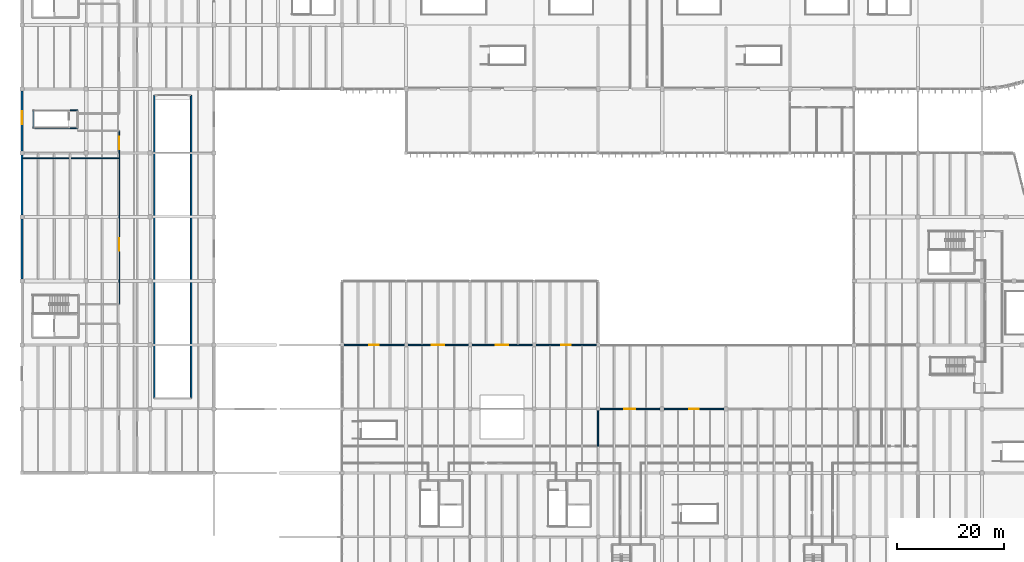
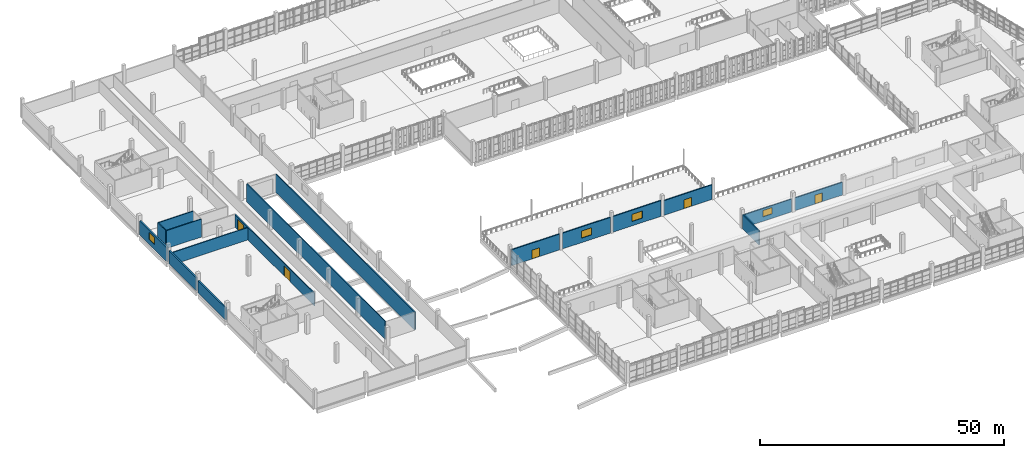
# One storey, part 79 of 112: 17 walls, 5 doors, 4 windows, 9 openings.
"""IFC4 building model written with IfcOpenShell, lengths in metres."""

from ifc_helpers import new_model, si_unit, direction, frame, frame_2d, origin, place, context, subcontext, project, spatial, rectangle, extrude, material, layer, layer_set, type_object, element, fill, save


model = new_model("IFC4")

# Units and contexts
model_context = context("Model", 3, precision=1e-05, world=origin(), true_north=direction((0.0, 1.0)))
body_context = subcontext(model_context, "Body", "Model", "MODEL_VIEW")
ifc_project = project(units=[si_unit("LENGTHUNIT", "METRE"), si_unit("AREAUNIT", "SQUARE_METRE"), si_unit("VOLUMEUNIT", "CUBIC_METRE"), si_unit("PLANEANGLEUNIT", "RADIAN"), si_unit("MASSUNIT", "GRAM", prefix="KILO")], contexts=[model_context])

# Site, building, storey
site_placement = place(None, origin())
site = spatial("IfcSite", under=ifc_project, at=site_placement, CompositionType="ELEMENT")
building_placement = place(site_placement, origin())
building = spatial("IfcBuilding", under=site, at=building_placement, Name="Kamomehara Wholesale Market", CompositionType="ELEMENT")
storey_placement = place(building_placement, frame((0.0, 0.0, 6.60009765625)))
storey = spatial("IfcBuildingStorey", under=building, at=storey_placement, Name="L01", CompositionType="ELEMENT", Elevation=6.60009765625)

# Walls
ifc_material_1 = material(Name="Polyurethane insulated metal panel")
ifc_layer_1 = layer(ifc_material_1, 0.340087890625)
ifc_layer_set_1 = layer_set([ifc_layer_1], Name="Polyurethane insulated metal panel")
wall_type_1 = type_object("IfcWallType", Name="EW-CLD-340", PredefinedType="SOLIDWALL", material=ifc_layer_set_1)
wall_1_placement = place(storey_placement, frame((0.0, 72.389892578125, 0.0), z_axis=(0.0, 0.0, 1.0), x_axis=(0.0, 1.0, 0.0)))
element("IfcWall", 1, at=wall_1_placement, inside=storey, type_object=wall_type_1, Name="Exterior wall EW-CLD-340 24", PredefinedType="SOLIDWALL", context=body_context, shape_type="SweptSolid", body=[
    extrude(rectangle(XDim=11.22021484375, YDim=0.340087890625, at=frame_2d((5.610107421875, 0.0))), origin(), (0.0, 0.0, 1.0), 3.037841796875),
])
wall_2_placement = place(storey_placement, frame((0.0, 84.389892578125, 0.0), z_axis=(0.0, 0.0, 1.0), x_axis=(0.0, 1.0, 0.0)))
element("IfcWall", 2, at=wall_2_placement, inside=storey, type_object=wall_type_1, Name="Exterior wall EW-CLD-340 25", PredefinedType="SOLIDWALL", context=body_context, shape_type="SweptSolid", body=[
    extrude(rectangle(XDim=11.22021484375, YDim=0.340087890625, at=frame_2d((5.610107421875, 0.0))), origin(), (0.0, 0.0, 1.0), 3.287841796875),
])

# Wall, opening, window
wall_3_placement = place(storey_placement, frame((0.0, 96.389892578125, 0.0), z_axis=(0.0, 0.0, 1.0), x_axis=(0.0, 1.0, 0.0)))
wall_3 = element("IfcWall", 3, at=wall_3_placement, inside=storey, type_object=wall_type_1, Name="Exterior wall EW-CLD-340 26", PredefinedType="SOLIDWALL", context=body_context, shape_type="SweptSolid", body=[
    extrude(rectangle(XDim=11.22021484375, YDim=0.340087890625, at=frame_2d((5.610107421875, 0.0))), origin(), (0.0, 0.0, 1.0), 3.447998046875),
])
opening_1_placement = place(wall_3_placement, frame((5.010009765625, 0.0, 1.199951171875)))
opening_1 = element("IfcOpeningElement", 4, at=opening_1_placement, cuts=wall_3, Name="Opening WN-L01-002", PredefinedType="OPENING", context=body_context, shape_type="SweptSolid", body=[
    extrude(rectangle(XDim=2.39990234375, YDim=1.800048828125, at=frame_2d((1.199951171875, 0.89990234375))), frame((0.0, 0.18505859375, 0.0), z_axis=(0.0, -1.0, 0.0), x_axis=(1.0, 0.0, 0.0)), (0.0, 0.0, 1.0), 0.369873046875),
])
ifc_material_2 = material(Name="Solar-control Low-E double glazing", Category="glass")
window_type_1 = type_object("IfcWindowType", Name="WIN-2400x1800", PartitioningType="SINGLE_PANEL", PredefinedType="WINDOW", material=ifc_material_2)
window_1_placement = place(opening_1_placement, origin())
window_1 = element("IfcWindow", 5, at=window_1_placement, inside=storey, type_object=window_type_1, Name="Exterior window WN-L01-002", OverallHeight=1.800048828125, OverallWidth=2.39990234375, PartitioningType="SINGLE_PANEL", PredefinedType="WINDOW", context=body_context, shape_type="SweptSolid", body=[
    extrude(rectangle(XDim=2.39990234375, YDim=1.800048828125, at=frame_2d((1.199951171875, 0.89990234375))), frame((0.0, 0.030029296875, 0.0), z_axis=(0.0, -1.0, 0.0), x_axis=(1.0, 0.0, 0.0)), (0.0, 0.0, 1.0), 0.06005859375),
])
fill(opening_1, window_1)

ifc_material_3 = material(Name="Precast concrete Fc45 (C40/50)", Category="concrete")
ifc_layer_2 = layer(ifc_material_3, 0.239990234375)
ifc_layer_set_2 = layer_set([ifc_layer_2], Name="Precast concrete Fc45 (C40/50)")
wall_type_2 = type_object("IfcWallType", Name="EW-PC-240", PredefinedType="SOLIDWALL", material=ifc_layer_set_2)
wall_4_placement = place(storey_placement, frame((108.324951171875, 48.0, 0.0), z_axis=(0.0, 0.0, 1.0), x_axis=(1.0, 0.0, 0.0)))
wall_4 = element("IfcWall", 6, at=wall_4_placement, inside=storey, type_object=wall_type_2, Name="Exterior wall EW-PC-240 103", PredefinedType="SOLIDWALL", context=body_context, shape_type="SweptSolid", body=[
    extrude(rectangle(XDim=11.300048828125, YDim=0.239990234375, at=frame_2d((5.64990234375, 0.0))), origin(), (0.0, 0.0, 1.0), 3.18798828125),
])
opening_2_placement = place(wall_4_placement, frame((4.574951171875, 0.0, 1.10009765625)))
opening_2 = element("IfcOpeningElement", 7, at=opening_2_placement, cuts=wall_4, Name="Opening WN-L01-022", PredefinedType="OPENING", context=body_context, shape_type="SweptSolid", body=[
    extrude(rectangle(XDim=2.10009765625, YDim=1.60009765625, at=frame_2d((1.050048828125, 0.800048828125))), frame((0.0, 0.134765625, 0.0), z_axis=(0.0, -1.0, 0.0), x_axis=(1.0, 0.0, 0.0)), (0.0, 0.0, 1.0), 0.269775390625),
])
ifc_material_4 = material(Name="Solar-control Low-E double glazing", Category="glass")
window_type_2 = type_object("IfcWindowType", Name="WIN-2100x1600", PartitioningType="SINGLE_PANEL", PredefinedType="WINDOW", material=ifc_material_4)
window_2_placement = place(opening_2_placement, origin())
window_2 = element("IfcWindow", 8, at=window_2_placement, inside=storey, type_object=window_type_2, Name="Exterior window WN-L01-022", OverallHeight=1.60009765625, OverallWidth=2.10009765625, PartitioningType="SINGLE_PANEL", PredefinedType="WINDOW", context=body_context, shape_type="SweptSolid", body=[
    extrude(rectangle(XDim=2.10009765625, YDim=1.60009765625, at=frame_2d((1.050048828125, 0.800048828125))), frame((0.0, 0.030029296875, 0.0), z_axis=(0.0, -1.0, 0.0), x_axis=(1.0, 0.0, 0.0)), (0.0, 0.0, 1.0), 0.06005859375),
])
fill(opening_2, window_2)

# Wall, opening, door
wall_5_placement = place(storey_placement, frame((120.375, 48.0, 0.0), z_axis=(0.0, 0.0, 1.0), x_axis=(1.0, 0.0, 0.0)))
wall_5 = element("IfcWall", 9, at=wall_5_placement, inside=storey, type_object=wall_type_2, Name="Exterior wall EW-PC-240 104", PredefinedType="SOLIDWALL", context=body_context, shape_type="SweptSolid", body=[
    extrude(rectangle(XDim=11.25, YDim=0.239990234375, at=frame_2d((5.625, 0.0))), origin(), (0.0, 0.0, 1.0), 3.18798828125),
])
opening_3_placement = place(wall_5_placement, frame((4.72509765625, 0.0, 0.0)))
opening_3 = element("IfcOpeningElement", 10, at=opening_3_placement, cuts=wall_5, Name="Opening TD-L01-120", PredefinedType="OPENING", context=body_context, shape_type="SweptSolid", body=[
    extrude(rectangle(XDim=1.800048828125, YDim=2.199951171875, at=frame_2d((0.89990234375, 1.10009765625))), frame((0.0, 0.134765625, 0.0), z_axis=(0.0, -1.0, 0.0), x_axis=(1.0, 0.0, 0.0)), (0.0, 0.0, 1.0), 0.269775390625),
])
ifc_material_5 = material(Name="Anodised aluminium 6063-T5", Category="aluminium")
door_type_1 = type_object("IfcDoorType", Name="EDR-1800x2200", OperationType="NOTDEFINED", PredefinedType="DOOR", material=ifc_material_5)
door_1_placement = place(opening_3_placement, origin())
door_1 = element("IfcDoor", 11, at=door_1_placement, inside=storey, type_object=door_type_1, Name="Terrace 1 restaurant door TD-L01-120", OperationType="SINGLE_SWING_LEFT", OverallHeight=2.199951171875, OverallWidth=1.800048828125, PredefinedType="DOOR", context=body_context, shape_type="SweptSolid", body=[
    extrude(rectangle(XDim=1.800048828125, YDim=2.199951171875, at=frame_2d((0.89990234375, 1.10009765625))), frame((0.0, 0.02490234375, 0.0), z_axis=(0.0, -1.0, 0.0), x_axis=(1.0, 0.0, 0.0)), (0.0, 0.0, 1.0), 0.050048828125),
])
fill(opening_3, door_1)

ifc_material_6 = material(Name="Precast concrete Fc45 (C40/50)", Category="concrete")
ifc_layer_3 = layer(ifc_material_6, 0.260009765625)
ifc_layer_set_3 = layer_set([ifc_layer_3], Name="Precast concrete Fc45 (C40/50)")
wall_type_3 = type_object("IfcWallType", Name="EW-PC-260", PredefinedType="SOLIDWALL", material=ifc_layer_set_3)
wall_6_placement = place(storey_placement, frame((60.324951171875, 60.0, 0.0), z_axis=(0.0, 0.0, 1.0), x_axis=(1.0, 0.0, 0.0)))
wall_6 = element("IfcWall", 12, at=wall_6_placement, inside=storey, type_object=wall_type_3, Name="Exterior wall EW-PC-260 89", PredefinedType="SOLIDWALL", context=body_context, shape_type="SweptSolid", body=[
    extrude(rectangle(XDim=11.35009765625, YDim=0.260009765625, at=frame_2d((5.675048828125, 0.0))), origin(), (0.0, 0.0, 1.0), 3.97998046875),
])
opening_4_placement = place(wall_6_placement, frame((4.77490234375, 0.0, 0.0)))
opening_4 = element("IfcOpeningElement", 13, at=opening_4_placement, cuts=wall_6, Name="Opening TD-L01-V460", PredefinedType="OPENING", context=body_context, shape_type="SweptSolid", body=[
    extrude(rectangle(XDim=1.800048828125, YDim=2.199951171875, at=frame_2d((0.89990234375, 1.10009765625))), frame((0.0, 0.14501953125, 0.0), z_axis=(0.0, -1.0, 0.0), x_axis=(1.0, 0.0, 0.0)), (0.0, 0.0, 1.0), 0.289794921875),
])
door_2_placement = place(opening_4_placement, origin())
door_2 = element("IfcDoor", 14, at=door_2_placement, inside=storey, type_object=door_type_1, Name="Coastal loggia terrace door TD-L01-V460", OperationType="SINGLE_SWING_LEFT", OverallHeight=2.199951171875, OverallWidth=1.800048828125, PredefinedType="DOOR", context=body_context, shape_type="SweptSolid", body=[
    extrude(rectangle(XDim=1.800048828125, YDim=2.199951171875, at=frame_2d((0.89990234375, 1.10009765625))), frame((0.0, 0.02490234375, 0.0), z_axis=(0.0, -1.0, 0.0), x_axis=(1.0, 0.0, 0.0)), (0.0, 0.0, 1.0), 0.050048828125),
])
fill(opening_4, door_2)

# Wall, opening, window
wall_7_placement = place(storey_placement, frame((72.324951171875, 60.0, 0.0), z_axis=(0.0, 0.0, 1.0), x_axis=(1.0, 0.0, 0.0)))
wall_7 = element("IfcWall", 15, at=wall_7_placement, inside=storey, type_object=wall_type_3, Name="Exterior wall EW-PC-260 90", PredefinedType="SOLIDWALL", context=body_context, shape_type="SweptSolid", body=[
    extrude(rectangle(XDim=11.35009765625, YDim=0.260009765625, at=frame_2d((5.675048828125, 0.0))), origin(), (0.0, 0.0, 1.0), 3.929931640625),
])
opening_5_placement = place(wall_7_placement, frame((4.47509765625, 0.0, 1.10009765625)))
opening_5 = element("IfcOpeningElement", 16, at=opening_5_placement, cuts=wall_7, Name="Opening WN-L01-014", PredefinedType="OPENING", context=body_context, shape_type="SweptSolid", body=[
    extrude(rectangle(XDim=2.39990234375, YDim=1.800048828125, at=frame_2d((1.199951171875, 0.89990234375))), frame((0.0, 0.14501953125, 0.0), z_axis=(0.0, -1.0, 0.0), x_axis=(1.0, 0.0, 0.0)), (0.0, 0.0, 1.0), 0.289794921875),
])
window_3_placement = place(opening_5_placement, origin())
window_3 = element("IfcWindow", 17, at=window_3_placement, inside=storey, type_object=window_type_1, Name="Exterior window WN-L01-014", OverallHeight=1.800048828125, OverallWidth=2.39990234375, PartitioningType="SINGLE_PANEL", PredefinedType="WINDOW", context=body_context, shape_type="SweptSolid", body=[
    extrude(rectangle(XDim=2.39990234375, YDim=1.800048828125, at=frame_2d((1.199951171875, 0.89990234375))), frame((0.0, 0.030029296875, 0.0), z_axis=(0.0, -1.0, 0.0), x_axis=(1.0, 0.0, 0.0)), (0.0, 0.0, 1.0), 0.06005859375),
])
fill(opening_5, window_3)

wall_8_placement = place(storey_placement, frame((84.324951171875, 60.0, 0.0), z_axis=(0.0, 0.0, 1.0), x_axis=(1.0, 0.0, 0.0)))
wall_8 = element("IfcWall", 18, at=wall_8_placement, inside=storey, type_object=wall_type_3, Name="Exterior wall EW-PC-260 91", PredefinedType="SOLIDWALL", context=body_context, shape_type="SweptSolid", body=[
    extrude(rectangle(XDim=11.35009765625, YDim=0.260009765625, at=frame_2d((5.675048828125, 0.0))), origin(), (0.0, 0.0, 1.0), 3.929931640625),
])
opening_6_placement = place(wall_8_placement, frame((4.47509765625, 0.0, 1.10009765625)))
opening_6 = element("IfcOpeningElement", 19, at=opening_6_placement, cuts=wall_8, Name="Opening WN-L01-015", PredefinedType="OPENING", context=body_context, shape_type="SweptSolid", body=[
    extrude(rectangle(XDim=2.39990234375, YDim=1.800048828125, at=frame_2d((1.199951171875, 0.89990234375))), frame((0.0, 0.14501953125, 0.0), z_axis=(0.0, -1.0, 0.0), x_axis=(1.0, 0.0, 0.0)), (0.0, 0.0, 1.0), 0.289794921875),
])
window_4_placement = place(opening_6_placement, origin())
window_4 = element("IfcWindow", 20, at=window_4_placement, inside=storey, type_object=window_type_1, Name="Exterior window WN-L01-015", OverallHeight=1.800048828125, OverallWidth=2.39990234375, PartitioningType="SINGLE_PANEL", PredefinedType="WINDOW", context=body_context, shape_type="SweptSolid", body=[
    extrude(rectangle(XDim=2.39990234375, YDim=1.800048828125, at=frame_2d((1.199951171875, 0.89990234375))), frame((0.0, 0.030029296875, 0.0), z_axis=(0.0, -1.0, 0.0), x_axis=(1.0, 0.0, 0.0)), (0.0, 0.0, 1.0), 0.06005859375),
])
fill(opening_6, window_4)

# Wall, opening, door
wall_9_placement = place(storey_placement, frame((96.324951171875, 60.0, 0.0), z_axis=(0.0, 0.0, 1.0), x_axis=(1.0, 0.0, 0.0)))
wall_9 = element("IfcWall", 21, at=wall_9_placement, inside=storey, type_object=wall_type_3, Name="Exterior wall EW-PC-260 92", PredefinedType="SOLIDWALL", context=body_context, shape_type="SweptSolid", body=[
    extrude(rectangle(XDim=11.35009765625, YDim=0.260009765625, at=frame_2d((5.675048828125, 0.0))), origin(), (0.0, 0.0, 1.0), 3.6689453125),
])
opening_7_placement = place(wall_9_placement, frame((4.77490234375, 0.0, 0.0)))
opening_7 = element("IfcOpeningElement", 22, at=opening_7_placement, cuts=wall_9, Name="Opening TD-L01-V496", PredefinedType="OPENING", context=body_context, shape_type="SweptSolid", body=[
    extrude(rectangle(XDim=1.800048828125, YDim=2.199951171875, at=frame_2d((0.89990234375, 1.10009765625))), frame((0.0, 0.14501953125, 0.0), z_axis=(0.0, -1.0, 0.0), x_axis=(1.0, 0.0, 0.0)), (0.0, 0.0, 1.0), 0.289794921875),
])
door_3_placement = place(opening_7_placement, origin())
door_3 = element("IfcDoor", 23, at=door_3_placement, inside=storey, type_object=door_type_1, Name="Coastal loggia terrace door TD-L01-V496", OperationType="SINGLE_SWING_LEFT", OverallHeight=2.199951171875, OverallWidth=1.800048828125, PredefinedType="DOOR", context=body_context, shape_type="SweptSolid", body=[
    extrude(rectangle(XDim=1.800048828125, YDim=2.199951171875, at=frame_2d((0.89990234375, 1.10009765625))), frame((0.0, 0.02490234375, 0.0), z_axis=(0.0, -1.0, 0.0), x_axis=(1.0, 0.0, 0.0)), (0.0, 0.0, 1.0), 0.050048828125),
])
fill(opening_7, door_3)

# Wall, openings, doors
ifc_material_7 = material(Name="Gypsum board partition")
ifc_layer_4 = layer(ifc_material_7, 0.199951171875)
ifc_layer_set_4 = layer_set([ifc_layer_4], Name="Gypsum board partition")
wall_type_4 = type_object("IfcWallType", Name="IW-PRT-200", PredefinedType="PARTITIONING", material=ifc_layer_set_4)
wall_10_placement = place(storey_placement, frame((18.199951171875, 67.64990234375, 0.0), z_axis=(0.0, 0.0, 1.0), x_axis=(0.0, 1.0, 0.0)))
wall_10 = element("IfcWall", 24, at=wall_10_placement, inside=storey, type_object=wall_type_4, Name="Interior wall IW-PRT-200 303", PredefinedType="PARTITIONING", context=body_context, shape_type="SweptSolid", body=[
    extrude(rectangle(XDim=32.550048828125, YDim=0.199951171875, at=frame_2d((16.27490234375, 0.0))), origin(), (0.0, 0.0, 1.0), 3.162841796875),
])
opening_8_placement = place(wall_10_placement, frame((10.0, 0.0, 0.0)))
opening_8 = element("IfcOpeningElement", 25, at=opening_8_placement, cuts=wall_10, Name="Opening ID-L01-189", PredefinedType="OPENING", context=body_context, shape_type="SweptSolid", body=[
    extrude(rectangle(XDim=2.39990234375, YDim=2.60009765625, at=frame_2d((1.199951171875, 1.300048828125))), frame((0.0, 0.11474609375, 0.0), z_axis=(0.0, -1.0, 0.0), x_axis=(1.0, 0.0, 0.0)), (0.0, 0.0, 1.0), 0.229736328125),
])
opening_9_placement = place(wall_10_placement, frame((29.0, 0.0, 0.0)))
opening_9 = element("IfcOpeningElement", 26, at=opening_9_placement, cuts=wall_10, Name="Opening ID-L01-190", PredefinedType="OPENING", context=body_context, shape_type="SweptSolid", body=[
    extrude(rectangle(XDim=2.39990234375, YDim=2.60009765625, at=frame_2d((1.199951171875, 1.300048828125))), frame((0.0, 0.11474609375, 0.0), z_axis=(0.0, -1.0, 0.0), x_axis=(1.0, 0.0, 0.0)), (0.0, 0.0, 1.0), 0.229736328125),
])
ifc_material_8 = material(Name="Steel SN400B", Category="steel")
door_type_2 = type_object("IfcDoorType", Name="IDR-CL-2400x2600", OperationType="NOTDEFINED", PredefinedType="DOOR", material=ifc_material_8)
door_4_placement = place(opening_8_placement, origin())
door_4 = element("IfcDoor", 27, at=door_4_placement, inside=storey, type_object=door_type_2, Name="Interior door ID-L01-189", OperationType="SINGLE_SWING_LEFT", OverallHeight=2.60009765625, OverallWidth=2.39990234375, PredefinedType="DOOR", context=body_context, shape_type="SweptSolid", body=[
    extrude(rectangle(XDim=2.39990234375, YDim=2.60009765625, at=frame_2d((1.199951171875, 1.300048828125))), frame((0.0, 0.02490234375, 0.0), z_axis=(0.0, -1.0, 0.0), x_axis=(1.0, 0.0, 0.0)), (0.0, 0.0, 1.0), 0.050048828125),
])
fill(opening_8, door_4)
door_5_placement = place(opening_9_placement, origin())
door_5 = element("IfcDoor", 28, at=door_5_placement, inside=storey, type_object=door_type_2, Name="Interior door ID-L01-190", OperationType="SINGLE_SWING_RIGHT", OverallHeight=2.60009765625, OverallWidth=2.39990234375, PredefinedType="DOOR", context=body_context, shape_type="SweptSolid", body=[
    extrude(rectangle(XDim=2.39990234375, YDim=2.60009765625, at=frame_2d((1.199951171875, 1.300048828125))), frame((0.0, 0.02490234375, 0.0), z_axis=(0.0, -1.0, 0.0), x_axis=(1.0, 0.0, 0.0)), (0.0, 0.0, 1.0), 0.050048828125),
])
fill(opening_9, door_5)

# Walls
wall_11_placement = place(storey_placement, frame((0.169921875, 95.0, 0.0), z_axis=(0.0, 0.0, 1.0), x_axis=(1.0, 0.0, 0.0)))
element("IfcWall", 29, at=wall_11_placement, inside=storey, type_object=wall_type_4, Name="Interior wall IW-PRT-200 310", PredefinedType="PARTITIONING", context=body_context, shape_type="SweptSolid", body=[
    extrude(rectangle(XDim=18.030029296875, YDim=0.199951171875, at=frame_2d((9.01513671875, 0.0))), origin(), (0.0, 0.0, 1.0), 3.093017578125),
])
ifc_material_9 = material(Name="Concrete Fc36 (C35/45)", Category="concrete")
ifc_layer_5 = layer(ifc_material_9, 0.219970703125)
ifc_layer_set_5 = layer_set([ifc_layer_5], Name="Concrete Fc36 (C35/45)")
wall_type_5 = type_object("IfcWallType", Name="IW-SHR-220", PredefinedType="SHEAR", material=ifc_layer_set_5)
wall_12_placement = place(storey_placement, frame((2.110107421875, 103.9599609375, 0.0), z_axis=(0.0, 0.0, 1.0), x_axis=(0.0, -1.0, 0.0)))
element("IfcWall", 30, at=wall_12_placement, inside=storey, type_object=wall_type_5, Name="Interior wall IW-SHR-220 183", PredefinedType="SHEAR", context=body_context, shape_type="SweptSolid", body=[
    extrude(rectangle(XDim=3.300048828125, YDim=0.219970703125, at=frame_2d((1.64990234375, 0.0))), origin(), (0.0, 0.0, 1.0), 4.469970703125),
])
for number, where, z_axis, x_axis, name in (
    (31, (2.110107421875, 100.659912109375, 0.0), (0.0, 0.0, 1.0), (1.0, 0.0, 0.0), "Interior wall IW-SHR-220 184"),
    (32, (10.39990234375, 103.9599609375, 0.0), (0.0, 0.0, 1.0), (-1.0, 0.0, 0.0), "Interior wall IW-SHR-220 186"),
):
    element("IfcWall", number, at=place(storey_placement, frame(where, z_axis=z_axis, x_axis=x_axis)), inside=storey, type_object=wall_type_5, Name=name, PredefinedType="SHEAR", context=body_context, shape_type="SweptSolid", body=[
        extrude(rectangle(XDim=8.289794921875, YDim=0.219970703125, at=frame_2d((4.14501953125, 0.0))), origin(), (0.0, 0.0, 1.0), 4.469970703125),
    ])
ifc_material_10 = material(Name="Concrete Fc36 (C35/45)", Category="concrete")
ifc_layer_6 = layer(ifc_material_10, 0.239990234375)
ifc_layer_set_6 = layer_set([ifc_layer_6], Name="Concrete Fc36 (C35/45)")
wall_type_6 = type_object("IfcWallType", Name="IW-SHR-240", PredefinedType="SHEAR", material=ifc_layer_set_6)
for number, where, z_axis, x_axis, name in (
    (33, (24.800048828125, 50.0, 0.0), (0.0, 0.0, 1.0), (0.0, 1.0, 0.0), "Interior wall IW-SHR-240 189"),
    (34, (31.699951171875, 50.0, 0.0), (0.0, 0.0, 1.0), (0.0, 1.0, 0.0), "Interior wall IW-SHR-240 190"),
):
    element("IfcWall", number, at=place(storey_placement, frame(where, z_axis=z_axis, x_axis=x_axis)), inside=storey, type_object=wall_type_6, Name=name, PredefinedType="SHEAR", context=body_context, shape_type="SweptSolid", body=[
        extrude(rectangle(XDim=56.800048828125, YDim=0.239990234375, at=frame_2d((28.39990234375, 0.0))), origin(), (0.0, 0.0, 1.0), 4.52001953125),
    ])
wall_13_placement = place(storey_placement, frame((108.0, 41.0, 0.0), z_axis=(0.0, 0.0, 1.0), x_axis=(0.0, 1.0, 0.0)))
element("IfcWall", 35, at=wall_13_placement, inside=storey, type_object=wall_type_6, Name="Interior wall IW-SHR-240 328", PredefinedType="SHEAR", context=body_context, shape_type="SweptSolid", body=[
    extrude(rectangle(XDim=6.64990234375, YDim=0.239990234375, at=frame_2d((3.324951171875, 0.0))), origin(), (0.0, 0.0, 1.0), 3.52392578125),
])

save(model, "model.ifc")
